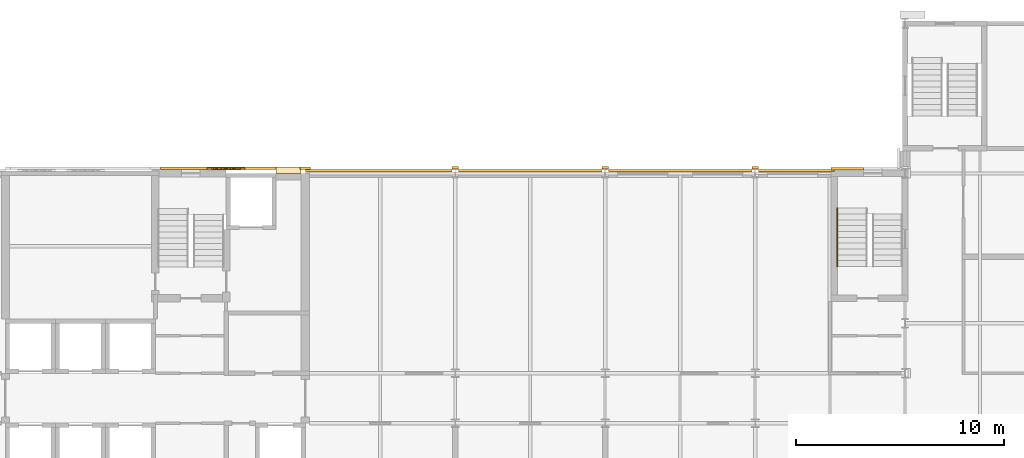
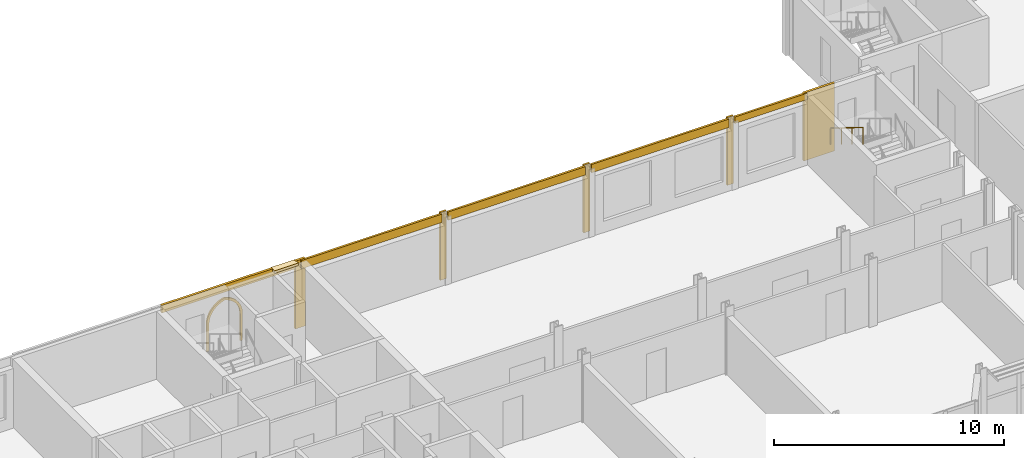
# One storey, part 111 of 124: 12 coverings, 1 railing.
"""IFC4 building model written with IfcOpenShell, lengths in metres."""

from ifc_helpers import new_model, si_unit, direction, frame, origin, origin_2d, place, context, subcontext, project, spatial, polyline, rectangle, circle, outline, extrude, material, layer, layer_set, type_object, element, save


model = new_model("IFC4")

# Units and contexts
model_context = context("Model", 3, precision=1e-05, world=origin(), true_north=direction((0.0, 1.0)))
body_context = subcontext(model_context, "Body", "Model", "MODEL_VIEW")
ifc_project = project(units=[si_unit("LENGTHUNIT", "METRE"), si_unit("AREAUNIT", "SQUARE_METRE"), si_unit("VOLUMEUNIT", "CUBIC_METRE"), si_unit("PLANEANGLEUNIT", "RADIAN"), si_unit("MASSUNIT", "GRAM", prefix="KILO")], contexts=[model_context])

# Site, building, storey
site_placement = place(None, origin())
site = spatial("IfcSite", under=ifc_project, at=site_placement, CompositionType="ELEMENT")
building_placement = place(site_placement, origin())
building = spatial("IfcBuilding", under=site, at=building_placement, Name="Kupolbacken Congress Centre", CompositionType="ELEMENT")
storey_placement = place(building_placement, frame((0.0, 0.0, 10.800048828125)))
storey = spatial("IfcBuildingStorey", under=building, at=storey_placement, Name="L03", CompositionType="ELEMENT", Elevation=10.800048828125)

# Coverings
ifc_material_1 = material(Name="Limestone cladding", Category="masonry")
ifc_layer = layer(ifc_material_1, 0.1201171875)
ifc_layer_set = layer_set([ifc_layer], Name="Limestone cladding")
covering_type = type_object("IfcCoveringType", Name="CV1 limestone cladding band 120", PredefinedType="CLADDING", material=ifc_layer_set)
covering_1_placement = place(storey_placement, frame((131.57666015625, 144.137451171875, 3.259765625), z_axis=(0.0, 0.0, 1.0), x_axis=(-1.0, 0.0, 0.0)))
element("IfcCovering", 1, at=covering_1_placement, inside=storey, type_object=covering_type, Name="E/T/N/L03/033/band", PredefinedType="CLADDING", context=body_context, shape_type="SweptSolid", body=[
    extrude(rectangle(XDim=3.646484375, YDim=0.10498046875, at=origin_2d()), origin(), (0.0, 0.0, 1.0), 0.340087890625),
])
for number, where, z_axis, x_axis, name in (
    (2, (126.0, 144.137451171875, 3.159912109375), (0.0, 0.0, 1.0), (-1.0, 0.0, 0.0), "E/T/N/L03/034/band"),
    (3, (118.800048828125, 144.137451171875, 3.159912109375), (0.0, 0.0, 1.0), (-1.0, 0.0, 0.0), "E/T/N/L03/035/band"),
):
    element("IfcCovering", number, at=place(storey_placement, frame(where, z_axis=z_axis, x_axis=x_axis)), inside=storey, type_object=covering_type, Name=name, PredefinedType="CLADDING", context=body_context, shape_type="SweptSolid", body=[
        extrude(rectangle(XDim=6.89306640625, YDim=0.10498046875, at=origin_2d()), origin(), (0.0, 0.0, 1.0), 0.43994140625),
    ])
covering_2_placement = place(storey_placement, frame((111.523193359375, 144.137451171875, 3.159912109375), z_axis=(0.0, 0.0, 1.0), x_axis=(-1.0, 0.0, 0.0)))
element("IfcCovering", 4, at=covering_2_placement, inside=storey, type_object=covering_type, Name="E/T/N/L03/036/band", PredefinedType="CLADDING", context=body_context, shape_type="SweptSolid", body=[
    extrude(rectangle(XDim=7.04638671875, YDim=0.10498046875, at=origin_2d()), origin(), (0.0, 0.0, 1.0), 0.43994140625),
])
covering_3_placement = place(storey_placement, frame((107.199951171875, 144.155029296875, 3.4599609375), z_axis=(0.0, 0.0, 1.0), x_axis=(-1.0, 0.0, 0.0)))
element("IfcCovering", 5, at=covering_3_placement, inside=storey, type_object=covering_type, Name="E/T/N/L03/037/band", PredefinedType="CLADDING", context=body_context, shape_type="SweptSolid", body=[
    extrude(rectangle(XDim=1.199951171875, YDim=0.31005859375, at=origin_2d()), origin(), (0.0, 0.0, 1.0), 0.139892578125),
])
for number, where, z_axis, x_axis, name in (
    (6, (115.199951171875, 144.26611328125, 0.0), (0.0, 0.0, 1.0), (1.0, 0.0, 0.0), "E/T/pilaster/L03/C-T-17W/N"),
    (7, (122.39990234375, 144.26611328125, 0.0), (0.0, 0.0, 1.0), (1.0, 0.0, 0.0), "E/T/pilaster/L03/C-T-18W/N"),
    (8, (129.60009765625, 144.26611328125, 0.0), (0.0, 0.0, 1.0), (1.0, 0.0, 0.0), "E/T/pilaster/L03/C-T-19W/N"),
):
    element("IfcCovering", number, at=place(storey_placement, frame(where, z_axis=z_axis, x_axis=x_axis)), inside=storey, type_object=covering_type, Name=name, PredefinedType="CLADDING", context=body_context, shape_type="SweptSolid", body=[
        extrude(rectangle(XDim=0.306884765625, YDim=0.10009765625, at=origin_2d()), origin(), (0.0, 0.0, 1.0), 3.60009765625),
    ])
covering_4_placement = place(storey_placement, frame((134.02490234375, 144.2099609375, 0.0), z_axis=(0.0, 0.0, 1.0), x_axis=(-1.0, 0.0, 0.0)))
element("IfcCovering", 9, at=covering_4_placement, inside=storey, type_object=covering_type, Name="S/core/L03/131/face1", PredefinedType="CLADDING", context=body_context, shape_type="SweptSolid", body=[
    extrude(rectangle(XDim=1.550048828125, YDim=0.1201171875, at=origin_2d()), origin(), (0.0, 0.0, 1.0), 3.60009765625),
])
covering_5_placement = place(storey_placement, frame((108.0, 144.235107421875, 0.0), z_axis=(0.0, 0.0, 1.0), x_axis=(1.0, 0.0, 0.0)))
element("IfcCovering", 10, at=covering_5_placement, inside=storey, type_object=covering_type, Name="E/T/stripe/N/L03/pil108", PredefinedType="CLADDING", context=body_context, shape_type="SweptSolid", body=[
    extrude(rectangle(XDim=0.5, YDim=0.1201171875, at=origin_2d()), origin(), (0.0, 0.0, 1.0), 3.60009765625),
])
covering_6_placement = place(storey_placement, frame((104.39990234375, 144.235107421875, 3.199951171875), z_axis=(0.0, 0.0, 1.0), x_axis=(1.0, 0.0, 0.0)))
element("IfcCovering", 11, at=covering_6_placement, inside=storey, type_object=covering_type, Name="E/T/stripe/N/L03/belt100.8", PredefinedType="CLADDING", context=body_context, shape_type="SweptSolid", body=[
    extrude(rectangle(XDim=6.699951171875, YDim=0.1201171875, at=origin_2d()), origin(), (0.0, 0.0, 1.0), 0.39990234375),
])
covering_7_placement = place(storey_placement, frame((103.300048828125, 144.175048828125, 0.349853515625), z_axis=(0.0, 1.0, 0.0), x_axis=(-1.0, 0.0, 0.0)))
element("IfcCovering", 12, at=covering_7_placement, inside=storey, type_object=covering_type, Name="E/T/stripe/N/L03/niche100.8/1", PredefinedType="CLADDING", context=body_context, shape_type="SweptSolid", body=[
    extrude(outline(polyline([(0.0, 0.0), (0.0, 1.43408203125), (-0.00537109375, 1.54443359375), (-0.021484375, 1.654052734375), (-0.048095703125, 1.761474609375), (-0.084716796875, 1.86572265625), (-0.131591796875, 1.966064453125), (-0.187744140625, 2.061279296875), (-0.2529296875, 2.15087890625), (-0.32666015625, 2.2333984375), (-0.40771484375, 2.30859375), (-0.495849609375, 2.37548828125), (-0.590087890625, 2.433837890625), (-0.689453125, 2.482421875), (-0.793212890625, 2.521240234375), (-0.89990234375, 2.550048828125), (-1.0068359375, 2.521240234375), (-1.110595703125, 2.482421875), (-1.2099609375, 2.433837890625), (-1.30419921875, 2.37548828125), (-1.39208984375, 2.30859375), (-1.473388671875, 2.2333984375), (-1.547119140625, 2.15087890625), (-1.6123046875, 2.061279296875), (-1.66845703125, 1.966064453125), (-1.715087890625, 1.86572265625), (-1.751953125, 1.761474609375), (-1.778564453125, 1.654052734375), (-1.794677734375, 1.54443359375), (-1.800048828125, 1.43408203125), (-1.800048828125, 0.0), (-1.679931640625, 0.0), (-1.679931640625, 1.43408203125), (-1.67529296875, 1.531005859375), (-1.66162109375, 1.627197265625), (-1.638671875, 1.7216796875), (-1.60693359375, 1.8134765625), (-1.566650390625, 1.90185546875), (-1.51806640625, 1.986083984375), (-1.461669921875, 2.065185546875), (-1.398193359375, 2.138916015625), (-1.327880859375, 2.205810546875), (-1.25146484375, 2.26611328125), (-1.169677734375, 2.318603515625), (-1.08349609375, 2.36328125), (-0.9931640625, 2.3994140625), (-0.89990234375, 2.427001953125), (-0.806884765625, 2.3994140625), (-0.716552734375, 2.36328125), (-0.63037109375, 2.318603515625), (-0.548583984375, 2.26611328125), (-0.47216796875, 2.205810546875), (-0.40185546875, 2.138916015625), (-0.33837890625, 2.065185546875), (-0.281982421875, 1.986083984375), (-0.2333984375, 1.90185546875), (-0.193115234375, 1.8134765625), (-0.161376953125, 1.7216796875), (-0.138427734375, 1.627197265625), (-0.12451171875, 1.531005859375), (-0.1201171875, 1.43408203125), (-0.1201171875, 0.0), (0.0, 0.0)])), origin(), (0.0, 0.0, 1.0), 0.080078125),
])

# Railing
ifc_material_2 = material(Name="Steel S235", Category="steel")
railing_type = type_object("IfcRailingType", Name="RL3 handrail wall-mounted 900", PredefinedType="HANDRAIL", material=ifc_material_2)
railing_placement = place(storey_placement, frame((133.550048828125, 142.330078125, 1.8857421875)))
element("IfcRailing", 13, at=railing_placement, inside=storey, type_object=railing_type, Name="C/stair/TS4/L03/HR2R", PredefinedType="HANDRAIL", context=body_context, shape_type="SweptSolid", body=[
    extrude(circle(Radius=0.02392578125, at=origin_2d()), frame((0.0, 0.0, 0.8759765625), z_axis=(0.0, -0.852879011914, 0.522108600807), x_axis=(1.0, 0.0, 0.0)), (0.0, 0.0, 1.0), 3.282958984375),
    extrude(circle(Radius=0.02099609375, at=origin_2d()), origin(), (0.0, 0.0, 1.0), 0.851806640625),
    extrude(circle(Radius=0.02099609375, at=origin_2d()), frame((0.0, -0.933349609375, 0.5712890625)), (0.0, 0.0, 1.0), 0.851806640625),
    extrude(circle(Radius=0.02099609375, at=origin_2d()), frame((0.0, -1.86669921875, 1.142822265625)), (0.0, 0.0, 1.0), 0.851806640625),
    extrude(circle(Radius=0.02099609375, at=origin_2d()), frame((0.0, -2.800048828125, 1.714111328125)), (0.0, 0.0, 1.0), 0.851806640625),
])

save(model, "model.ifc")
